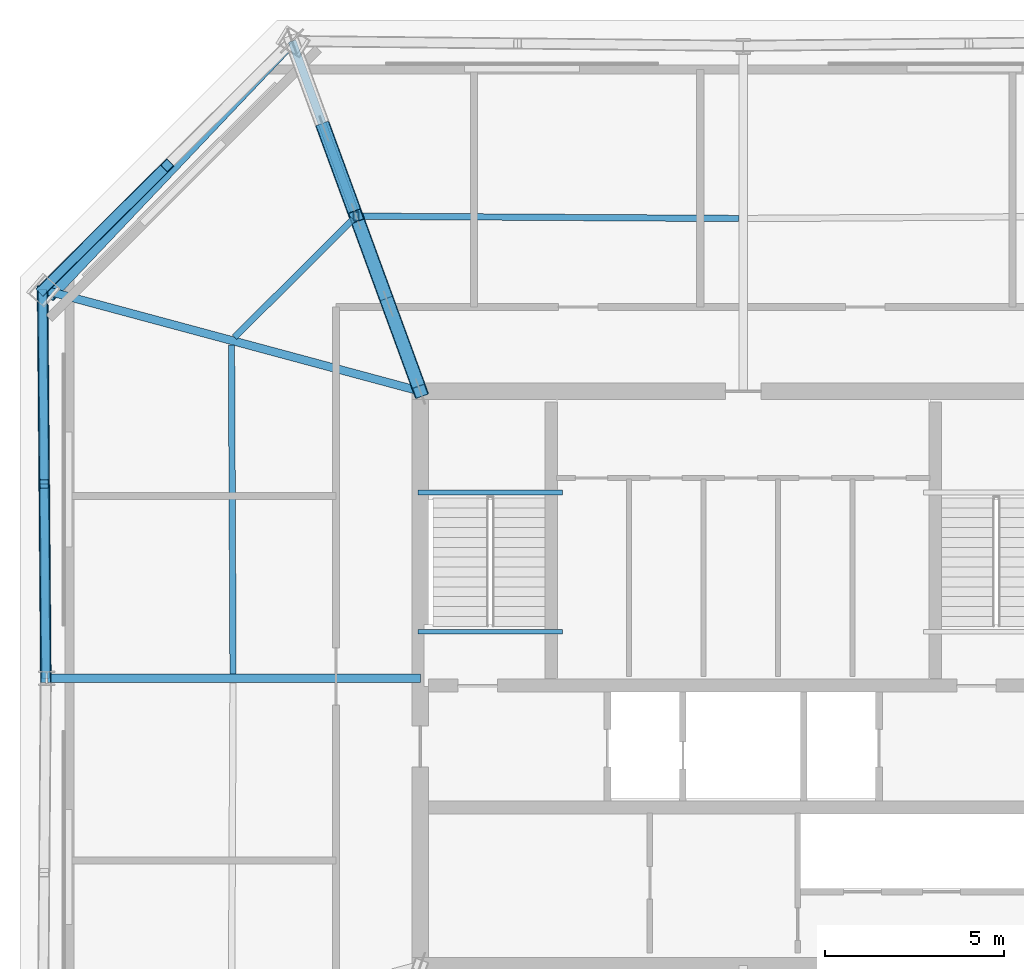
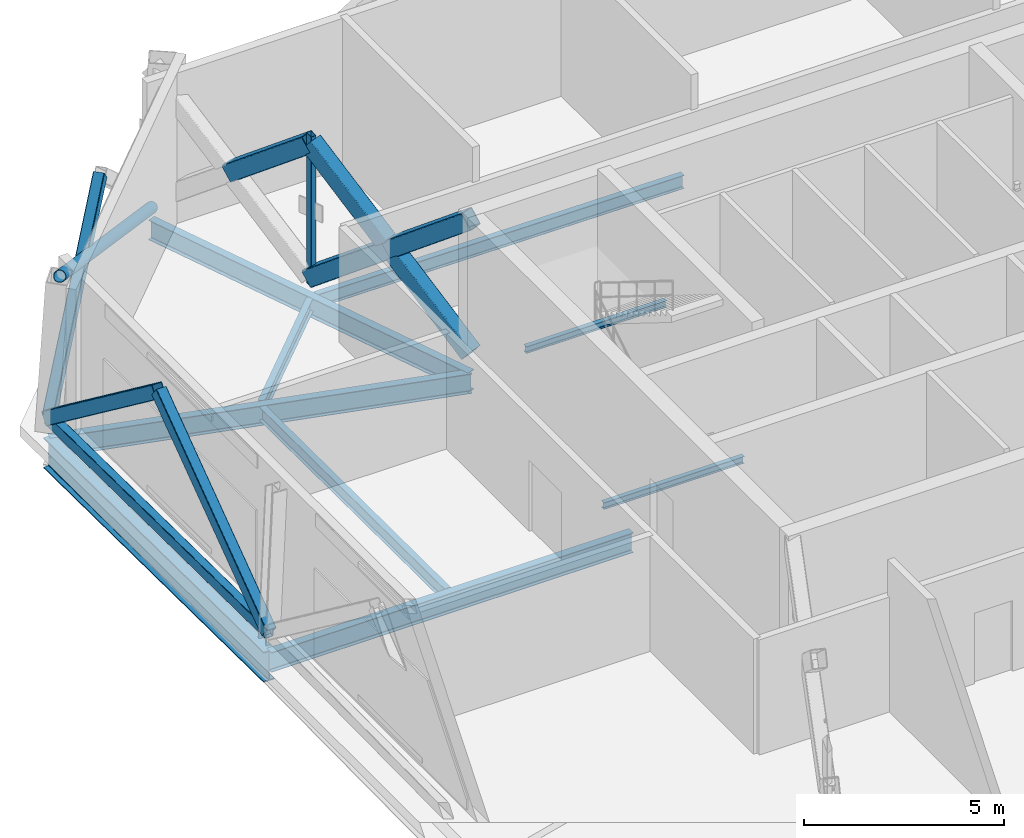
# One storey, part 4 of 10: 10 members, 9 beams.
"""IFC4 building model written with IfcOpenShell, lengths in metres."""

import ifcopenshell
import ifcopenshell.guid

model = None  # the IFC model being written
_history = None  # IfcOwnerHistory: only IFC2X3 demands one
_inside = {}  # id of a spatial element -> (the spatial element, [elements in it])
_under = {}  # id of a project, library or spatial element -> (it, [spatial elements below it])
_declared = {}  # id of a project -> (the project, [libraries it declares])
_typed = {}  # id of a type object -> (the type object, [elements of that type])
_made_of = {}  # id of a material, layer set ... -> (it, [elements and type objects made of it])


def new_model(schema):
    """Start an empty IFC model of exactly this schema.

    Asked for "IFC4X3", IfcOpenShell would pick the latest addendum, in which some entities
    have other attributes; the version numbers below select the first issue.
    IFC2X3 requires an IfcOwnerHistory on every rooted entity: one is made here for all.
    """
    global model, _history
    if schema == "IFC4X3":
        model = ifcopenshell.file(schema_version=(4, 3, 0, 0))
    else:
        model = ifcopenshell.file(schema=schema)
    _inside.clear()
    _under.clear()
    _declared.clear()
    _typed.clear()
    _made_of.clear()
    _history = None
    if model.schema == "IFC2X3":
        org = make("IfcOrganization", Name="unknown")
        user = make(
            "IfcPersonAndOrganization",
            ThePerson=make("IfcPerson", FamilyName="unknown"),
            TheOrganization=org,
        )
        app = make(
            "IfcApplication",
            ApplicationDeveloper=org,
            Version="unknown",
            ApplicationFullName="unknown",
            ApplicationIdentifier="unknown",
        )
        _history = make(
            "IfcOwnerHistory",
            OwningUser=user,
            OwningApplication=app,
            ChangeAction="ADDED",
            CreationDate=0,
        )
    return model


def make(cls, **values):
    """One entity of the class cls with the attributes given. An attribute that is None is left unset."""
    return model.create_entity(
        cls, **{name: value for name, value in values.items() if value is not None}
    )


def rooted(cls, **values):
    """An entity with a GlobalId (a new one), such as an element, a storey or a relation."""
    return make(cls, GlobalId=ifcopenshell.guid.new(), OwnerHistory=_history, **values)


def si_unit(unit_type, name, prefix=None):
    """IfcSIUnit, for example si_unit("LENGTHUNIT", "METRE", prefix="MILLI")."""
    return make("IfcSIUnit", UnitType=unit_type, Prefix=prefix, Name=name)


def assignment(units):
    """IfcUnitAssignment: the units of a project."""
    return None if units is None else make("IfcUnitAssignment", Units=units)


def point(xyz):
    """IfcCartesianPoint."""
    return None if xyz is None else make("IfcCartesianPoint", Coordinates=xyz)


def direction(xyz):
    """IfcDirection."""
    return None if xyz is None else make("IfcDirection", DirectionRatios=xyz)


def frame(location, z_axis=None, x_axis=None):
    """IfcAxis2Placement3D, a coordinate frame: its origin and axes. An axis left out is left unset."""
    return make(
        "IfcAxis2Placement3D",
        Location=point(location),
        Axis=direction(z_axis),
        RefDirection=direction(x_axis),
    )


def frame_2d(location, x_axis=None):
    """IfcAxis2Placement2D, a coordinate frame in the plane: its origin and x axis."""
    return make(
        "IfcAxis2Placement2D", Location=point(location), RefDirection=direction(x_axis)
    )


def origin():
    """The frame at (0, 0, 0) with its axes left unset."""
    return frame((0.0, 0.0, 0.0))


def origin_2d():
    """The frame at (0, 0) in the plane with its x axis left unset."""
    return frame_2d((0.0, 0.0))


def place(relative_to, where):
    """IfcLocalPlacement: puts the frame where relative to a parent placement (None: the world)."""
    return make(
        "IfcLocalPlacement", PlacementRelTo=relative_to, RelativePlacement=where
    )


def context(
    kind, dimensions, precision=None, world=None, true_north=None, identifier=None
):
    """IfcGeometricRepresentationContext, for example the 3D "Model" context."""
    return make(
        "IfcGeometricRepresentationContext",
        ContextIdentifier=identifier,
        ContextType=kind,
        CoordinateSpaceDimension=dimensions,
        Precision=precision,
        WorldCoordinateSystem=world,
        TrueNorth=true_north,
    )


def subcontext(parent, identifier, kind, view, scale=None):
    """IfcGeometricRepresentationSubContext, for example "Body" below "Model"."""
    return make(
        "IfcGeometricRepresentationSubContext",
        ContextIdentifier=identifier,
        ContextType=kind,
        ParentContext=parent,
        TargetScale=scale,
        TargetView=view,
    )


def project(units=None, contexts=None):
    """IfcProject with its units and contexts."""
    return rooted(
        "IfcProject",
        Name="project",
        RepresentationContexts=contexts,
        UnitsInContext=assignment(units),
    )


def spatial(cls, under=None, at=None, **own):
    """A site, building, storey or space (cls), placed at a placement, below another one or the project."""
    s = rooted(cls, ObjectPlacement=at, **own)
    if under is not None:
        _under.setdefault(under.id(), (under, []))[1].append(s)
    return s


def profile(cls, at=None, kind="AREA", **sizes):
    """A parametric profile (cls). Its sizes go by their IFC names, for example OverallWidth=200.0."""
    return make(cls, ProfileType=kind, Position=at, **sizes)


def hollow_rectangle(**sizes):
    """IfcRectangleHollowProfileDef."""
    return profile("IfcRectangleHollowProfileDef", **sizes)


def hollow_circle(**sizes):
    """IfcCircleHollowProfileDef."""
    return profile("IfcCircleHollowProfileDef", **sizes)


def i_section(**sizes):
    """IfcIShapeProfileDef."""
    return profile("IfcIShapeProfileDef", **sizes)


def extrude(swept, where, along, depth):
    """IfcExtrudedAreaSolid: the profile swept, set in the frame where, extruded along a direction by depth."""
    return make(
        "IfcExtrudedAreaSolid",
        SweptArea=swept,
        Position=where,
        ExtrudedDirection=direction(along),
        Depth=depth,
    )


def shape(context_of_items, identifier, shape_type, items):
    """IfcShapeRepresentation: the items that make up one representation, for example the "Body"."""
    return make(
        "IfcShapeRepresentation",
        ContextOfItems=context_of_items,
        RepresentationIdentifier=identifier,
        RepresentationType=shape_type,
        Items=items,
    )


def material(Name=None, Category=None):
    """IfcMaterial."""
    return make("IfcMaterial", Name=Name, Category=Category)


def material_profile(
    of_material, cross_section, Name=None, Category=None, Priority=None
):
    """IfcMaterialProfile: a cross section and its material."""
    return make(
        "IfcMaterialProfile",
        Name=Name,
        Material=of_material,
        Profile=cross_section,
        Priority=Priority,
        Category=Category,
    )


def profile_set(profiles, Name=None, composite=None):
    """IfcMaterialProfileSet."""
    return make(
        "IfcMaterialProfileSet",
        Name=Name,
        MaterialProfiles=profiles,
        CompositeProfile=composite,
    )


def made_of(thing, what):
    """Note that an element or type object is made of a material, layer set ...; save() writes the relation."""
    if what is not None:
        _made_of.setdefault(what.id(), (what, []))[1].append(thing)
    return thing


def type_object(cls, material=None, **own):
    """A type object (cls), such as IfcWallType, which elements share."""
    return made_of(rooted(cls, **own), material)


def element(
    cls,
    number,
    at=None,
    inside=None,
    cuts=None,
    type_object=None,
    material=None,
    context=None,
    identifier="Body",
    shape_type=None,
    held_by="IfcProductDefinitionShape",
    body=None,
    shapes=None,
    **own,
):
    """One element of the class cls, such as IfcWall. Its Tag is "e" and its number.

    at: its placement. inside: the storey or other place that contains it. cuts: it is an
    opening in that element (IfcRelVoidsElement). A single representation is given by context,
    identifier, shape_type and body (its items); several are given by shapes. held_by: the class
    of the entity that holds the representations. save() writes the other relations.
    """
    e = rooted(cls, Tag="e%d" % number, ObjectPlacement=at, **own)
    if body is not None:
        shapes = [shape(context, identifier, shape_type, body)]
    if shapes is not None:
        e.Representation = make(held_by, Representations=shapes)
    if inside is not None:
        _inside.setdefault(inside.id(), (inside, []))[1].append(e)
    if cuts is not None:
        rooted(
            "IfcRelVoidsElement", RelatingBuildingElement=cuts, RelatedOpeningElement=e
        )
    if type_object is not None:
        _typed.setdefault(type_object.id(), (type_object, []))[1].append(e)
    return made_of(e, material)


def aggregate(whole, parts):
    """IfcRelAggregates: a whole, such as a stair, and the parts it consists of."""
    return rooted("IfcRelAggregates", RelatingObject=whole, RelatedObjects=parts)


def save(model, path):
    """Write the relations noted so far, then the file.

    IfcRelAggregates (storeys below a building ...), IfcRelContainedInSpatialStructure (elements
    in a storey), IfcRelDefinesByType, IfcRelAssociatesMaterial and IfcRelDeclares: one each for
    every whole, place, type object, material and project.
    """
    for whole, parts in _under.values():
        aggregate(whole, parts)
    for where, things in _inside.values():
        rooted(
            "IfcRelContainedInSpatialStructure",
            RelatedElements=things,
            RelatingStructure=where,
        )
    for kind, things in _typed.values():
        rooted("IfcRelDefinesByType", RelatedObjects=things, RelatingType=kind)
    for what, things in _made_of.values():
        rooted("IfcRelAssociatesMaterial", RelatedObjects=things, RelatingMaterial=what)
    for by, libraries in _declared.values():
        rooted("IfcRelDeclares", RelatingContext=by, RelatedDefinitions=libraries)
    model.write(path)


model = new_model("IFC4")

# Units and contexts
model_context = context("Model", 3, precision=1e-05, world=origin(), true_north=direction((0.0, 1.0)))
body_context = subcontext(model_context, "Body", "Model", "MODEL_VIEW")
ifc_project = project(units=[si_unit("LENGTHUNIT", "METRE"), si_unit("AREAUNIT", "SQUARE_METRE"), si_unit("VOLUMEUNIT", "CUBIC_METRE"), si_unit("PLANEANGLEUNIT", "RADIAN"), si_unit("MASSUNIT", "GRAM", prefix="KILO")], contexts=[model_context])

# Site, building, storey
site_placement = place(None, origin())
site = spatial("IfcSite", under=ifc_project, at=site_placement, CompositionType="ELEMENT")
building_placement = place(site_placement, origin())
building = spatial("IfcBuilding", under=site, at=building_placement, Name="Caelvoria Tower", CompositionType="ELEMENT")
storey_placement = place(building_placement, frame((0.0, 0.0, 234.60009765625)))
storey = spatial("IfcBuildingStorey", under=building, at=storey_placement, Name="L62", CompositionType="ELEMENT", Elevation=234.60009765625)

# Members
ifc_material_1 = material(Name="Structural Steel ASTM A572 Gr.50", Category="steel")
ifc_material_profile_1 = material_profile(ifc_material_1, hollow_rectangle(XDim=0.25, YDim=0.35009765625, WallThickness=0.013916015625, InnerFilletRadius=0.013916015625, OuterFilletRadius=0.028076171875, at=origin_2d()), Name="Structural Steel ASTM A572 Gr.50")
ifc_profile_set_1 = profile_set([ifc_material_profile_1], Name="HSS350X250X14 - Structural Steel ASTM A572 Gr.50")
member_type_1 = type_object("IfcMemberType", Name="Belt Truss Chord Member HSS350X250X14", PredefinedType="CHORD", material=ifc_profile_set_1)
member_1_placement = place(storey_placement, frame((26.47509765625, 42.83251953125, 0.25), z_axis=(0.008338677847, -0.999965232621, 0.0), x_axis=(0.999965232621, 0.008338677847, 0.0)))
element("IfcMember", 1, at=member_1_placement, inside=storey, type_object=member_type_1, Name="Belt Truss Bottom Chord L62-09", PredefinedType="CHORD", context=body_context, shape_type="SweptSolid", body=[
    extrude(hollow_rectangle(XDim=0.25, YDim=0.35009765625, WallThickness=0.013916015625, InnerFilletRadius=0.013916015625, OuterFilletRadius=0.028076171875, at=origin_2d()), origin(), (0.0, 0.0, 1.0), 10.8330078125),
])
ifc_material_profile_2 = material_profile(ifc_material_1, hollow_rectangle(XDim=0.300048828125, YDim=0.39990234375, WallThickness=0.01611328125, InnerFilletRadius=0.01611328125, OuterFilletRadius=0.031982421875, at=origin_2d()), Name="Structural Steel ASTM A572 Gr.50")
ifc_profile_set_2 = profile_set([ifc_material_profile_2], Name="HSS400X300X16 - Structural Steel ASTM A572 Gr.50")
member_type_2 = type_object("IfcMemberType", Name="Belt Truss Diagonal HSS400X300X16", PredefinedType="BRACE", material=ifc_profile_set_2)
member_2_placement = place(storey_placement, frame((29.9501953125, 46.295166015625, 4.324951171875), z_axis=(-0.544906737548, -0.542954352862, -0.638965740931), x_axis=(0.705836599664, -0.708374685159, 0.0)))
element("IfcMember", 2, at=member_2_placement, inside=storey, type_object=member_type_2, Name="Belt Truss Diagonal L62-08B", PredefinedType="BRACE", context=body_context, shape_type="SweptSolid", body=[
    extrude(hollow_rectangle(XDim=0.300048828125, YDim=0.39990234375, WallThickness=0.01611328125, InnerFilletRadius=0.01611328125, OuterFilletRadius=0.031982421875, at=origin_2d()), origin(), (0.0, 0.0, 1.0), 6.37744140625),
])
for number, where, z_axis, x_axis, name in (
    (3, (26.47509765625, 42.83251953125, 0.25), (0.006663485519, -0.799077979726, 0.601190469218), (0.999965232621, 0.008338677847, 0.0), "Belt Truss Diagonal L62-09A"),
    (4, (26.520263671875, 37.416259765625, 4.324951171875), (0.006663485519, -0.799077979726, -0.601190469218), (0.999965232621, 0.008338677847, 0.0), "Belt Truss Diagonal L62-09B"),
):
    element("IfcMember", number, at=place(storey_placement, frame(where, z_axis=z_axis, x_axis=x_axis)), inside=storey, type_object=member_type_2, Name=name, PredefinedType="BRACE", context=body_context, shape_type="SweptSolid", body=[
        extrude(hollow_rectangle(XDim=0.300048828125, YDim=0.39990234375, WallThickness=0.01611328125, InnerFilletRadius=0.01611328125, OuterFilletRadius=0.031982421875, at=origin_2d()), origin(), (0.0, 0.0, 1.0), 6.778076171875),
    ])

# Beams
ifc_material_2 = material(Name="Structural Steel ASTM A992 Gr.50", Category="steel")
ifc_material_profile_3 = material_profile(ifc_material_2, i_section(OverallWidth=0.134033203125, OverallDepth=0.2099609375, WebThickness=0.00634765625, FlangeThickness=0.01025390625, FilletRadius=0.010009765625, at=origin_2d()), Name="Structural Steel ASTM A992 Gr.50")
ifc_profile_set_3 = profile_set([ifc_material_profile_3], Name="W200X31.3 - Structural Steel ASTM A992 Gr.50")
beam_type_1 = type_object("IfcBeamType", Name="Canopy Edge Trim Beam W200X31.3", PredefinedType="BEAM", material=ifc_profile_set_3)
for number, where, z_axis, x_axis, name in (
    (5, (36.929931640625, 37.175048828125, 2.094970703125), (1.0, 0.0, 0.0), (0.0, 1.0, 0.0), "ST-01 Half-Landing Support Beam L62"),
    (6, (36.929931640625, 33.300048828125, -0.30517578125), (1.0, 0.0, 0.0), (0.0, 1.0, 0.0), "ST-01 Floor-Landing Support Beam L62"),
):
    element("IfcBeam", number, at=place(storey_placement, frame(where, z_axis=z_axis, x_axis=x_axis)), inside=storey, type_object=beam_type_1, Name=name, PredefinedType="BEAM", context=body_context, shape_type="SweptSolid", body=[
        extrude(i_section(OverallWidth=0.134033203125, OverallDepth=0.2099609375, WebThickness=0.00634765625, FlangeThickness=0.01025390625, FilletRadius=0.010009765625, at=origin_2d()), origin(), (0.0, 0.0, 1.0), 4.0400390625),
    ])

# Members
ifc_material_profile_4 = material_profile(ifc_material_1, hollow_rectangle(XDim=0.39990234375, YDim=0.5, WallThickness=0.02197265625, InnerFilletRadius=0.02197265625, OuterFilletRadius=0.0439453125, at=origin_2d()), Name="Structural Steel ASTM A572 Gr.50")
ifc_profile_set_4 = profile_set([ifc_material_profile_4], Name="HSS500X400X22 - Structural Steel ASTM A572 Gr.50")
member_type_3 = type_object("IfcMemberType", Name="Outrigger Diagonal HSS500X400X22", PredefinedType="BRACE", material=ifc_profile_set_4)
member_3_placement = place(storey_placement, frame((37.0, 40.0, 0.25), z_axis=(-0.270675754431, 0.738858663645, 0.617108184292), x_axis=(-0.93897448414, -0.343986799359, 0.0)))
element("IfcMember", 7, at=member_3_placement, inside=storey, type_object=member_type_3, Name="Outrigger Truss Diagonal L62-NW-1A", PredefinedType="BRACE", context=body_context, shape_type="SweptSolid", body=[
    extrude(hollow_rectangle(XDim=0.39990234375, YDim=0.5, WallThickness=0.02197265625, InnerFilletRadius=0.02197265625, OuterFilletRadius=0.0439453125, at=origin_2d()), origin(), (0.0, 0.0, 1.0), 6.603271484375),
])
member_4_placement = place(storey_placement, frame((37.0, 40.0, 4.324951171875), z_axis=(-0.270703841243, 0.738834411826, -0.61712490003), x_axis=(-0.938959307136, -0.344028224922, 0.0)))
element("IfcMember", 8, at=member_4_placement, inside=storey, type_object=member_type_3, Name="Outrigger Truss Diagonal L62-NW-1B1", PredefinedType="BRACE", context=body_context, shape_type="SweptSolid", body=[
    extrude(hollow_rectangle(XDim=0.39990234375, YDim=0.5, WallThickness=0.02197265625, InnerFilletRadius=0.02197265625, OuterFilletRadius=0.0439453125, at=origin_2d()), origin(), (0.0, 0.0, 1.0), 3.3017578125),
])
member_5_placement = place(storey_placement, frame((36.106201171875, 42.439453125, 2.287353515625), z_axis=(-0.270647665326, 0.738882915831, -0.617091466434), x_axis=(-0.938989659808, -0.343945371787, 0.0)))
element("IfcMember", 9, at=member_5_placement, inside=storey, type_object=member_type_3, Name="Outrigger Truss Diagonal L62-NW-1B2", PredefinedType="BRACE", context=body_context, shape_type="SweptSolid", body=[
    extrude(hollow_rectangle(XDim=0.39990234375, YDim=0.5, WallThickness=0.02197265625, InnerFilletRadius=0.02197265625, OuterFilletRadius=0.0439453125, at=origin_2d()), origin(), (0.0, 0.0, 1.0), 3.301513671875),
])
member_6_placement = place(storey_placement, frame((35.212646484375, 44.87890625, 4.324951171875), z_axis=(-0.270703841243, 0.738834411826, -0.61712490003), x_axis=(-0.938959307136, -0.344028224922, 0.0)))
element("IfcMember", 10, at=member_6_placement, inside=storey, type_object=member_type_3, Name="Outrigger Truss Diagonal L62-NW-2B1", PredefinedType="BRACE", context=body_context, shape_type="SweptSolid", body=[
    extrude(hollow_rectangle(XDim=0.39990234375, YDim=0.5, WallThickness=0.02197265625, InnerFilletRadius=0.02197265625, OuterFilletRadius=0.0439453125, at=origin_2d()), origin(), (0.0, 0.0, 1.0), 3.3017578125),
])

# Beams
ifc_material_profile_5 = material_profile(ifc_material_2, i_section(OverallWidth=0.30810546875, OverallDepth=0.927001953125, WebThickness=0.019287109375, FlangeThickness=0.031982421875, FilletRadius=0.02392578125, at=origin_2d()), Name="Structural Steel ASTM A992 Gr.50")
ifc_profile_set_5 = profile_set([ifc_material_profile_5], Name="W920X289 - Structural Steel ASTM A992 Gr.50")
beam_type_2 = type_object("IfcBeamType", Name="Outrigger Tie Girder W920X289", PredefinedType="BEAM", material=ifc_profile_set_5)
beam_1_placement = place(storey_placement, frame((26.47509765625, 42.83251953125, -0.78369140625), z_axis=(0.008338677847, -0.999965232621, 0.0), x_axis=(0.999965232621, 0.008338677847, 0.0)))
element("IfcBeam", 11, at=beam_1_placement, inside=storey, type_object=beam_type_2, Name="Perimeter Spandrel Girder L62-09", PredefinedType="BEAM", context=body_context, shape_type="SweptSolid", body=[
    extrude(i_section(OverallWidth=0.30810546875, OverallDepth=0.927001953125, WebThickness=0.019287109375, FlangeThickness=0.031982421875, FilletRadius=0.02392578125, at=origin_2d()), origin(), (0.0, 0.0, 1.0), 10.8330078125),
])
ifc_material_profile_6 = material_profile(ifc_material_2, i_section(OverallWidth=0.22802734375, OverallDepth=0.60302734375, WebThickness=0.010498046875, FlangeThickness=0.014892578125, FilletRadius=0.01806640625, at=origin_2d()), Name="Structural Steel ASTM A992 Gr.50")
ifc_profile_set_6 = profile_set([ifc_material_profile_6], Name="W610X101 - Structural Steel ASTM A992 Gr.50")
beam_type_3 = type_object("IfcBeamType", Name="Primary Floor Girder W610X101", PredefinedType="BEAM", material=ifc_profile_set_6)
beam_2_placement = place(storey_placement, frame((37.0, 40.0, -0.62158203125), z_axis=(-0.343986799359, 0.93897448414, 0.0), x_axis=(-0.93897448414, -0.343986799359, 0.0)))
element("IfcBeam", 12, at=beam_2_placement, inside=storey, type_object=beam_type_3, Name="Primary Floor Girder L62-08", PredefinedType="BEAM", context=body_context, shape_type="SweptSolid", body=[
    extrude(i_section(OverallWidth=0.22802734375, OverallDepth=0.60302734375, WebThickness=0.010498046875, FlangeThickness=0.014892578125, FilletRadius=0.01806640625, at=origin_2d()), origin(), (0.0, 0.0, 1.0), 10.39208984375),
])
beam_3_placement = place(storey_placement, frame((37.0, 40.0, -0.62158203125), z_axis=(-0.965641273819, 0.259878683805, 0.0), x_axis=(-0.259878683805, -0.965641273819, 0.0)))
element("IfcBeam", 13, at=beam_3_placement, inside=storey, type_object=beam_type_3, Name="Primary Floor Girder L62-09", PredefinedType="BEAM", context=body_context, shape_type="SweptSolid", body=[
    extrude(i_section(OverallWidth=0.22802734375, OverallDepth=0.60302734375, WebThickness=0.010498046875, FlangeThickness=0.014892578125, FilletRadius=0.01806640625, at=origin_2d()), origin(), (0.0, 0.0, 1.0), 10.8994140625),
])
beam_4_placement = place(storey_placement, frame((37.0, 32.0, -0.62158203125), z_axis=(-1.0, 0.0, 0.0), x_axis=(0.0, -1.0, 0.0)))
element("IfcBeam", 14, at=beam_4_placement, inside=storey, type_object=beam_type_3, Name="Primary Floor Girder L62-10", PredefinedType="BEAM", context=body_context, shape_type="SweptSolid", body=[
    extrude(i_section(OverallWidth=0.22802734375, OverallDepth=0.60302734375, WebThickness=0.010498046875, FlangeThickness=0.014892578125, FilletRadius=0.01806640625, at=origin_2d()), origin(), (0.0, 0.0, 1.0), 10.4345703125),
])
ifc_material_profile_7 = material_profile(ifc_material_2, i_section(OverallWidth=0.177978515625, OverallDepth=0.406982421875, WebThickness=0.0078125, FlangeThickness=0.0126953125, FilletRadius=0.013916015625, at=origin_2d()), Name="Structural Steel ASTM A992 Gr.50")
ifc_profile_set_7 = profile_set([ifc_material_profile_7], Name="W410X60 - Structural Steel ASTM A992 Gr.50")
beam_type_4 = type_object("IfcBeamType", Name="Secondary Floor Beam W410X60", PredefinedType="BEAM", material=ifc_profile_set_7)
beam_5_placement = place(storey_placement, frame((45.875, 44.813720703125, -0.523681640625), z_axis=(-0.999981293925, 0.006116518653, 0.0), x_axis=(-0.006116518653, -0.999981293925, 0.0)))
element("IfcBeam", 15, at=beam_5_placement, inside=storey, type_object=beam_type_4, Name="Secondary Floor Beam L62-07", PredefinedType="BEAM", context=body_context, shape_type="SweptSolid", body=[
    extrude(i_section(OverallWidth=0.177978515625, OverallDepth=0.406982421875, WebThickness=0.0078125, FlangeThickness=0.0126953125, FilletRadius=0.013916015625, at=origin_2d()), origin(), (0.0, 0.0, 1.0), 10.53759765625),
])
beam_6_placement = place(storey_placement, frame((35.1240234375, 44.790771484375, -0.523681640625), z_axis=(-0.708364136335, -0.705847186262, 0.0), x_axis=(0.705847186262, -0.708364136335, 0.0)))
element("IfcBeam", 16, at=beam_6_placement, inside=storey, type_object=beam_type_4, Name="Secondary Floor Beam L62-08", PredefinedType="BEAM", context=body_context, shape_type="SweptSolid", body=[
    extrude(i_section(OverallWidth=0.177978515625, OverallDepth=0.406982421875, WebThickness=0.0078125, FlangeThickness=0.0126953125, FilletRadius=0.013916015625, at=origin_2d()), origin(), (0.0, 0.0, 1.0), 4.656005859375),
])
beam_7_placement = place(storey_placement, frame((31.738037109375, 41.291259765625, -0.523681640625), z_axis=(0.004820825589, -0.999988379753, 0.0), x_axis=(0.999988379753, 0.004820825589, 0.0)))
element("IfcBeam", 17, at=beam_7_placement, inside=storey, type_object=beam_type_4, Name="Secondary Floor Beam L62-09", PredefinedType="BEAM", context=body_context, shape_type="SweptSolid", body=[
    extrude(i_section(OverallWidth=0.177978515625, OverallDepth=0.406982421875, WebThickness=0.0078125, FlangeThickness=0.0126953125, FilletRadius=0.013916015625, at=origin_2d()), origin(), (0.0, 0.0, 1.0), 9.166259765625),
])

# Members
ifc_material_profile_8 = material_profile(ifc_material_1, hollow_rectangle(XDim=0.14990234375, YDim=0.25, WallThickness=0.010009765625, InnerFilletRadius=0.010009765625, OuterFilletRadius=0.02001953125, at=origin_2d()), Name="Structural Steel ASTM A572 Gr.50")
ifc_profile_set_8 = profile_set([ifc_material_profile_8], Name="HSS250X150X10 - Structural Steel ASTM A572 Gr.50")
member_type_4 = type_object("IfcMemberType", Name="Sky Pool Truss Post HSS250X150X10", PredefinedType="POST", material=ifc_profile_set_8)
member_7_placement = place(storey_placement, frame((35.212646484375, 44.87890625, 0.0), z_axis=(0.0, 0.0, 1.0), x_axis=(1.0, 0.0, 0.0)))
element("IfcMember", 18, at=member_7_placement, inside=storey, type_object=member_type_4, Name="Outrigger Mid-Panel Post L62-NW", PredefinedType="POST", context=body_context, shape_type="SweptSolid", body=[
    extrude(hollow_rectangle(XDim=0.14990234375, YDim=0.25, WallThickness=0.010009765625, InnerFilletRadius=0.010009765625, OuterFilletRadius=0.02001953125, at=origin_2d()), origin(), (0.0, 0.0, 1.0), 4.574951171875),
])
ifc_material_profile_9 = material_profile(ifc_material_1, hollow_circle(Radius=0.162109375, WallThickness=0.0126953125, at=origin_2d()), Name="Structural Steel ASTM A572 Gr.50")
ifc_profile_set_9 = profile_set([ifc_material_profile_9], Name="CHS324X12.7 - Structural Steel ASTM A572 Gr.50")
member_type_5 = type_object("IfcMemberType", Name="Summit Perimeter Mega Brace CHS324X12.7", PredefinedType="BRACE", material=ifc_profile_set_9)
member_8_placement = place(storey_placement, frame((33.42529296875, 49.7578125, 0.0), z_axis=(-0.623800564889, -0.657150310947, 0.42311502463), x_axis=(0.72527064804, -0.688463860411, 0.0)))
element("IfcMember", 19, at=member_8_placement, inside=storey, type_object=member_type_5, Name="Perimeter Chamfer Mega Brace L62 NW", PredefinedType="BRACE", context=body_context, shape_type="SweptSolid", body=[
    extrude(hollow_circle(Radius=0.162109375, WallThickness=0.0126953125, at=origin_2d()), origin(), (0.0, 0.0, 1.0), 10.8125),
])

save(model, "model.ifc")
